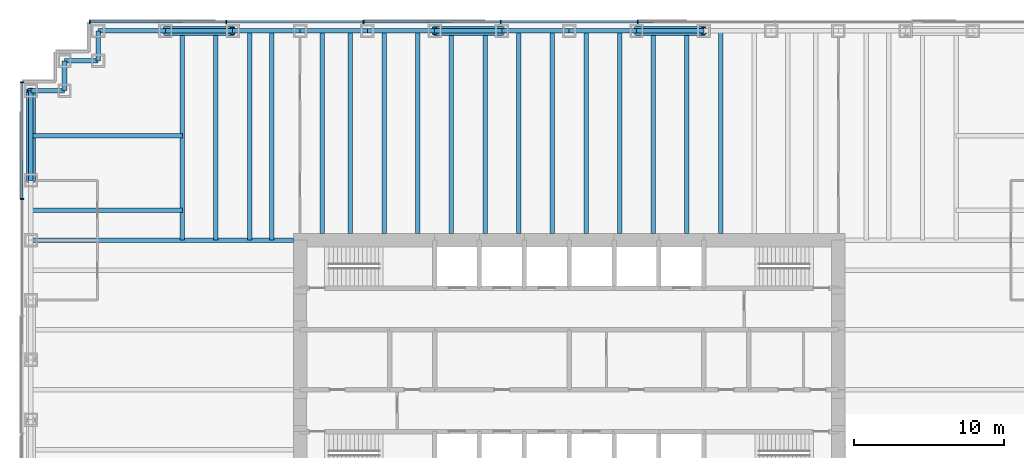
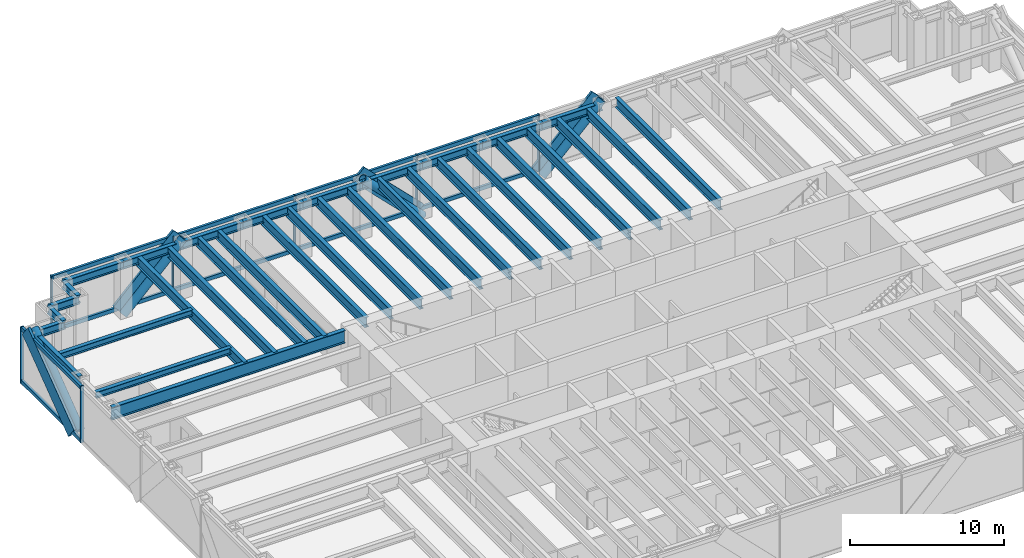
# One storey, part 5 of 13: 34 beams, 25 members, 2 elements without a shape of their own.
"""IFC4 building model written with IfcOpenShell, lengths in metres."""

from ifc_helpers import new_model, si_unit, direction, frame, origin, origin_2d, place, context, subcontext, project, spatial, rectangle, hollow_circle, i_section, extrude, material, material_profile, profile_set, type_object, element, aggregate, save


model = new_model("IFC4")

# Units and contexts
model_context = context("Model", 3, precision=1e-05, world=origin(), true_north=direction((0.0, 1.0)))
body_context = subcontext(model_context, "Body", "Model", "MODEL_VIEW")
ifc_project = project(units=[si_unit("LENGTHUNIT", "METRE"), si_unit("AREAUNIT", "SQUARE_METRE"), si_unit("VOLUMEUNIT", "CUBIC_METRE"), si_unit("PLANEANGLEUNIT", "RADIAN"), si_unit("MASSUNIT", "GRAM", prefix="KILO")], contexts=[model_context])

# Site, building, storey
site_placement = place(None, origin())
site = spatial("IfcSite", under=ifc_project, at=site_placement, CompositionType="ELEMENT")
building_placement = place(site_placement, origin())
building = spatial("IfcBuilding", under=site, at=building_placement, Name="Rheinbord Bourse Tower", CompositionType="ELEMENT")
storey_placement = place(building_placement, frame((0.0, 0.0, 36.5)))
storey = spatial("IfcBuildingStorey", under=building, at=storey_placement, Name="L07", CompositionType="ELEMENT", Elevation=36.5)

# Curtain wall, members
ifc_material_1 = material(Name="Dark glass and black aluminium", Category="aluminium")
curtain_wall_type = type_object("IfcCurtainWallType", Name="CW1 DARK GLASS CURTAIN WALL", PredefinedType="USERDEFINED", material=ifc_material_1)
curtain_wall_1_placement = place(storey_placement, origin())
curtain_wall_1 = element("IfcCurtainWall", 1, at=curtain_wall_1_placement, inside=storey, type_object=curtain_wall_type, Name="Curtain wall CW1 N L07", ObjectType="UNITISED CURTAIN WALL", PredefinedType="USERDEFINED")
ifc_material_2 = material(Name="Black anodised aluminium", Category="aluminium")
ifc_material_profile_1 = material_profile(ifc_material_2, rectangle(XDim=0.179931640625, YDim=1.2099609375, at=origin_2d()), Name="CW1 DIAGONAL MULLION 1210x180")
ifc_profile_set_1 = profile_set([ifc_material_profile_1], Name="Black anodised aluminium")
member_type_1 = type_object("IfcMemberType", Name="CW1 BLACK DIAGONAL MULLION", PredefinedType="USERDEFINED", material=ifc_profile_set_1)
member_1_placement = place(storey_placement, frame((40.5, 46.60009765625, 0.0), z_axis=(0.707106781187, 0.0, 0.707106781187), x_axis=(0.0, 1.0, 0.0)))
member_1 = element("IfcMember", 2, at=member_1_placement, type_object=member_type_1, Name="CW1 diagonal mullion a", ObjectType="DIAGONAL MULLION", PredefinedType="USERDEFINED", context=body_context, shape_type="SweptSolid", body=[
    extrude(rectangle(XDim=0.179931640625, YDim=1.2099609375, at=origin_2d()), origin(), (0.0, 0.0, 1.0), 6.364013671875),
])
member_2_placement = place(storey_placement, frame((31.5, 46.60009765625, 0.0), z_axis=(-0.707106781187, 0.0, 0.707106781187), x_axis=(0.0, -1.0, 0.0)))
member_2 = element("IfcMember", 3, at=member_2_placement, type_object=member_type_1, Name="CW1 diagonal mullion b", ObjectType="DIAGONAL MULLION", PredefinedType="USERDEFINED", context=body_context, shape_type="SweptSolid", body=[
    extrude(rectangle(XDim=0.179931640625, YDim=1.2099609375, at=origin_2d()), origin(), (0.0, 0.0, 1.0), 6.364013671875),
])
member_3_placement = place(storey_placement, frame((9.0, 46.60009765625, 0.0), z_axis=(0.707106781187, 0.0, 0.707106781187), x_axis=(0.0, 1.0, 0.0)))
member_3 = element("IfcMember", 4, at=member_3_placement, type_object=member_type_1, Name="CW1 diagonal mullion d", ObjectType="DIAGONAL MULLION", PredefinedType="USERDEFINED", context=body_context, shape_type="SweptSolid", body=[
    extrude(rectangle(XDim=0.179931640625, YDim=1.2099609375, at=origin_2d()), origin(), (0.0, 0.0, 1.0), 6.364013671875),
])

# Curtain wall, member
curtain_wall_2_placement = place(storey_placement, origin())
curtain_wall_2 = element("IfcCurtainWall", 5, at=curtain_wall_2_placement, inside=storey, type_object=curtain_wall_type, Name="Curtain wall CW1 W L07", ObjectType="UNITISED CURTAIN WALL", PredefinedType="USERDEFINED")
member_4_placement = place(storey_placement, frame((-0.60009765625, 36.0, 0.0), z_axis=(0.0, 0.8, 0.6), x_axis=(-1.0, 0.0, 0.0)))
member_4 = element("IfcMember", 6, at=member_4_placement, type_object=member_type_1, Name="CW1 diagonal mullion a", ObjectType="DIAGONAL MULLION", PredefinedType="USERDEFINED", context=body_context, shape_type="SweptSolid", body=[
    extrude(rectangle(XDim=0.179931640625, YDim=1.2099609375, at=origin_2d()), origin(), (0.0, 0.0, 1.0), 7.5),
])

# Member
ifc_material_3 = material(Name="Black anodised aluminium", Category="aluminium")
ifc_material_profile_2 = material_profile(ifc_material_3, rectangle(XDim=0.25, YDim=0.080078125, at=origin_2d()), Name="CW1 MULLION 80x250")
ifc_profile_set_2 = profile_set([ifc_material_profile_2], Name="Black anodised aluminium")
member_type_2 = type_object("IfcMemberType", Name="CW1 BLACK MULLION", PredefinedType="MULLION", material=ifc_profile_set_2)
member_5_placement = place(storey_placement, frame((40.585693359375, 46.60009765625, 0.0), z_axis=(0.0, 0.0, 1.0), x_axis=(0.0, -1.0, 0.0)))
member_5 = element("IfcMember", 7, at=member_5_placement, type_object=member_type_2, Name="CW1 mullion 4", PredefinedType="MULLION", context=body_context, shape_type="SweptSolid", body=[
    extrude(rectangle(XDim=0.25, YDim=0.080078125, at=origin_2d()), origin(), (0.0, 0.0, 1.0), 4.5),
])

member_6_placement = place(storey_placement, frame((31.414306640625, 46.60009765625, 0.0), z_axis=(0.0, 0.0, 1.0), x_axis=(0.0, -1.0, 0.0)))
member_6 = element("IfcMember", 8, at=member_6_placement, type_object=member_type_2, Name="CW1 mullion 5", PredefinedType="MULLION", context=body_context, shape_type="SweptSolid", body=[
    extrude(rectangle(XDim=0.25, YDim=0.080078125, at=origin_2d()), origin(), (0.0, 0.0, 1.0), 4.5),
])

member_7_placement = place(storey_placement, frame((22.242919921875, 46.60009765625, 0.0), z_axis=(0.0, 0.0, 1.0), x_axis=(0.0, -1.0, 0.0)))
member_7 = element("IfcMember", 9, at=member_7_placement, type_object=member_type_2, Name="CW1 mullion 6", PredefinedType="MULLION", context=body_context, shape_type="SweptSolid", body=[
    extrude(rectangle(XDim=0.25, YDim=0.080078125, at=origin_2d()), origin(), (0.0, 0.0, 1.0), 4.5),
])

member_8_placement = place(storey_placement, frame((13.071533203125, 46.60009765625, 0.0), z_axis=(0.0, 0.0, 1.0), x_axis=(0.0, -1.0, 0.0)))
member_8 = element("IfcMember", 10, at=member_8_placement, type_object=member_type_2, Name="CW1 mullion 7", PredefinedType="MULLION", context=body_context, shape_type="SweptSolid", body=[
    extrude(rectangle(XDim=0.25, YDim=0.080078125, at=origin_2d()), origin(), (0.0, 0.0, 1.0), 4.5),
])

member_9_placement = place(storey_placement, frame((3.93994140625, 46.60009765625, 0.0), z_axis=(0.0, 0.0, 1.0), x_axis=(0.0, -1.0, 0.0)))
member_9 = element("IfcMember", 11, at=member_9_placement, type_object=member_type_2, Name="CW1 mullion 8", PredefinedType="MULLION", context=body_context, shape_type="SweptSolid", body=[
    extrude(rectangle(XDim=0.25, YDim=0.080078125, at=origin_2d()), origin(), (0.0, 0.0, 1.0), 4.5),
])

member_10_placement = place(storey_placement, frame((-0.60009765625, 42.56005859375, 0.0), z_axis=(0.0, 0.0, 1.0), x_axis=(1.0, 0.0, 0.0)))
member_10 = element("IfcMember", 12, at=member_10_placement, type_object=member_type_2, Name="CW1 mullion 1", PredefinedType="MULLION", context=body_context, shape_type="SweptSolid", body=[
    extrude(rectangle(XDim=0.25, YDim=0.080078125, at=origin_2d()), origin(), (0.0, 0.0, 1.0), 4.5),
])

member_11_placement = place(storey_placement, frame((-0.60009765625, 34.760009765625, 0.0), z_axis=(0.0, 0.0, 1.0), x_axis=(1.0, 0.0, 0.0)))
member_11 = element("IfcMember", 13, at=member_11_placement, type_object=member_type_2, Name="CW1 mullion 2", PredefinedType="MULLION", context=body_context, shape_type="SweptSolid", body=[
    extrude(rectangle(XDim=0.25, YDim=0.080078125, at=origin_2d()), origin(), (0.0, 0.0, 1.0), 4.5),
])

ifc_material_4 = material(Name="Black anodised aluminium", Category="aluminium")
ifc_material_profile_3 = material_profile(ifc_material_4, rectangle(XDim=0.179931640625, YDim=0.300048828125, at=origin_2d()), Name="CW1 TRANSOM 300x180")
ifc_profile_set_3 = profile_set([ifc_material_profile_3], Name="Black anodised aluminium")
member_type_3 = type_object("IfcMemberType", Name="CW1 BLACK TRANSOM", PredefinedType="USERDEFINED", material=ifc_profile_set_3)
member_12_placement = place(storey_placement, frame((40.545654296875, 46.60009765625, 0.14990234375), z_axis=(-1.0, 0.0, 0.0), x_axis=(0.0, -1.0, 0.0)))
member_12 = element("IfcMember", 14, at=member_12_placement, type_object=member_type_3, Name="CW1 transom 4.1", ObjectType="TRANSOM", PredefinedType="USERDEFINED", context=body_context, shape_type="SweptSolid", body=[
    extrude(rectangle(XDim=0.179931640625, YDim=0.300048828125, at=origin_2d()), origin(), (0.0, 0.0, 1.0), 9.09130859375),
])

member_13_placement = place(storey_placement, frame((40.545654296875, 46.60009765625, 4.35009765625), z_axis=(-1.0, 0.0, 0.0), x_axis=(0.0, -1.0, 0.0)))
member_13 = element("IfcMember", 15, at=member_13_placement, type_object=member_type_3, Name="CW1 transom 4.2", ObjectType="TRANSOM", PredefinedType="USERDEFINED", context=body_context, shape_type="SweptSolid", body=[
    extrude(rectangle(XDim=0.179931640625, YDim=0.300048828125, at=origin_2d()), origin(), (0.0, 0.0, 1.0), 9.09130859375),
])

member_14_placement = place(storey_placement, frame((31.374267578125, 46.60009765625, 0.14990234375), z_axis=(-1.0, 0.0, 0.0), x_axis=(0.0, -1.0, 0.0)))
member_14 = element("IfcMember", 16, at=member_14_placement, type_object=member_type_3, Name="CW1 transom 5.1", ObjectType="TRANSOM", PredefinedType="USERDEFINED", context=body_context, shape_type="SweptSolid", body=[
    extrude(rectangle(XDim=0.179931640625, YDim=0.300048828125, at=origin_2d()), origin(), (0.0, 0.0, 1.0), 9.09130859375),
])

member_15_placement = place(storey_placement, frame((31.374267578125, 46.60009765625, 4.35009765625), z_axis=(-1.0, 0.0, 0.0), x_axis=(0.0, -1.0, 0.0)))
member_15 = element("IfcMember", 17, at=member_15_placement, type_object=member_type_3, Name="CW1 transom 5.2", ObjectType="TRANSOM", PredefinedType="USERDEFINED", context=body_context, shape_type="SweptSolid", body=[
    extrude(rectangle(XDim=0.179931640625, YDim=0.300048828125, at=origin_2d()), origin(), (0.0, 0.0, 1.0), 9.09130859375),
])

member_16_placement = place(storey_placement, frame((22.202880859375, 46.60009765625, 0.14990234375), z_axis=(-1.0, 0.0, 0.0), x_axis=(0.0, -1.0, 0.0)))
member_16 = element("IfcMember", 18, at=member_16_placement, type_object=member_type_3, Name="CW1 transom 6.1", ObjectType="TRANSOM", PredefinedType="USERDEFINED", context=body_context, shape_type="SweptSolid", body=[
    extrude(rectangle(XDim=0.179931640625, YDim=0.300048828125, at=origin_2d()), origin(), (0.0, 0.0, 1.0), 9.091552734375),
])

member_17_placement = place(storey_placement, frame((22.202880859375, 46.60009765625, 4.35009765625), z_axis=(-1.0, 0.0, 0.0), x_axis=(0.0, -1.0, 0.0)))
member_17 = element("IfcMember", 19, at=member_17_placement, type_object=member_type_3, Name="CW1 transom 6.2", ObjectType="TRANSOM", PredefinedType="USERDEFINED", context=body_context, shape_type="SweptSolid", body=[
    extrude(rectangle(XDim=0.179931640625, YDim=0.300048828125, at=origin_2d()), origin(), (0.0, 0.0, 1.0), 9.091552734375),
])

member_18_placement = place(storey_placement, frame((13.031494140625, 46.60009765625, 0.14990234375), z_axis=(-1.0, 0.0, 0.0), x_axis=(0.0, -1.0, 0.0)))
member_18 = element("IfcMember", 20, at=member_18_placement, type_object=member_type_3, Name="CW1 transom 7.1", ObjectType="TRANSOM", PredefinedType="USERDEFINED", context=body_context, shape_type="SweptSolid", body=[
    extrude(rectangle(XDim=0.179931640625, YDim=0.300048828125, at=origin_2d()), origin(), (0.0, 0.0, 1.0), 9.051513671875),
])

member_19_placement = place(storey_placement, frame((13.031494140625, 46.60009765625, 4.35009765625), z_axis=(-1.0, 0.0, 0.0), x_axis=(0.0, -1.0, 0.0)))
member_19 = element("IfcMember", 21, at=member_19_placement, type_object=member_type_3, Name="CW1 transom 7.2", ObjectType="TRANSOM", PredefinedType="USERDEFINED", context=body_context, shape_type="SweptSolid", body=[
    extrude(rectangle(XDim=0.179931640625, YDim=0.300048828125, at=origin_2d()), origin(), (0.0, 0.0, 1.0), 9.051513671875),
])

aggregate(curtain_wall_1, [member_5, member_6, member_7, member_8, member_9, member_12, member_13, member_14, member_15, member_16, member_17, member_18, member_19, member_1, member_2, member_3])

member_20_placement = place(storey_placement, frame((-0.60009765625, 42.52001953125, 0.14990234375), z_axis=(0.0, -1.0, 0.0), x_axis=(1.0, 0.0, 0.0)))
member_20 = element("IfcMember", 22, at=member_20_placement, type_object=member_type_3, Name="CW1 transom 1.1", ObjectType="TRANSOM", PredefinedType="USERDEFINED", context=body_context, shape_type="SweptSolid", body=[
    extrude(rectangle(XDim=0.179931640625, YDim=0.300048828125, at=origin_2d()), origin(), (0.0, 0.0, 1.0), 7.719970703125),
])

member_21_placement = place(storey_placement, frame((-0.60009765625, 42.52001953125, 4.35009765625), z_axis=(0.0, -1.0, 0.0), x_axis=(1.0, 0.0, 0.0)))
member_21 = element("IfcMember", 23, at=member_21_placement, type_object=member_type_3, Name="CW1 transom 1.2", ObjectType="TRANSOM", PredefinedType="USERDEFINED", context=body_context, shape_type="SweptSolid", body=[
    extrude(rectangle(XDim=0.179931640625, YDim=0.300048828125, at=origin_2d()), origin(), (0.0, 0.0, 1.0), 7.719970703125),
])

aggregate(curtain_wall_2, [member_10, member_11, member_20, member_21, member_4])

# Beams
ifc_material_5 = material(Name="Steel S460", Category="steel")
ifc_material_profile_4 = material_profile(ifc_material_5, i_section(OverallWidth=0.300048828125, OverallDepth=0.800048828125, WebThickness=0.017578125, FlangeThickness=0.032958984375, at=origin_2d()), Name="HEB 800")
ifc_profile_set_4 = profile_set([ifc_material_profile_4], Name="Steel S460")
beam_type_1 = type_object("IfcBeamType", Name="FLOOR BEAM HEB 800", PredefinedType="BEAM", material=ifc_profile_set_4)
for number, where, z_axis, x_axis, name in (
    (24, (10.125, 46.0, 3.919921875), (0.0, -1.0, 0.0), (1.0, 0.0, 0.0), "Floor beam N-9a L08"),
    (25, (12.375, 46.0, 3.919921875), (0.0, -1.0, 0.0), (1.0, 0.0, 0.0), "Floor beam N-9b L08"),
    (26, (14.625, 46.0, 3.919921875), (0.0, -1.0, 0.0), (1.0, 0.0, 0.0), "Floor beam N-13.5a L08"),
    (27, (16.125, 46.0, 3.919921875), (0.0, -1.0, 0.0), (1.0, 0.0, 0.0), "Floor beam N-13.5b L08"),
):
    element("IfcBeam", number, at=place(storey_placement, frame(where, z_axis=z_axis, x_axis=x_axis)), inside=storey, type_object=beam_type_1, Name=name, PredefinedType="BEAM", context=body_context, shape_type="SweptSolid", body=[
        extrude(i_section(OverallWidth=0.300048828125, OverallDepth=0.800048828125, WebThickness=0.017578125, FlangeThickness=0.032958984375, at=origin_2d()), origin(), (0.0, 0.0, 1.0), 14.0),
    ])
for number, where, z_axis, x_axis, name in (
    (28, (19.5, 46.0, 3.919921875), (0.0, -1.0, 0.0), (1.0, 0.0, 0.0), "Floor beam N-18a L08"),
    (29, (21.375, 46.0, 3.919921875), (0.0, -1.0, 0.0), (1.0, 0.0, 0.0), "Floor beam N-18b L08"),
    (30, (23.625, 46.0, 3.919921875), (0.0, -1.0, 0.0), (1.0, 0.0, 0.0), "Floor beam N-22.5a L08"),
    (31, (25.875, 46.0, 3.919921875), (0.0, -1.0, 0.0), (1.0, 0.0, 0.0), "Floor beam N-22.5b L08"),
    (32, (28.125, 46.0, 3.919921875), (0.0, -1.0, 0.0), (1.0, 0.0, 0.0), "Floor beam N-27a L08"),
    (33, (30.375, 46.0, 3.919921875), (0.0, -1.0, 0.0), (1.0, 0.0, 0.0), "Floor beam N-27b L08"),
    (34, (32.625, 46.0, 3.919921875), (0.0, -1.0, 0.0), (1.0, 0.0, 0.0), "Floor beam N-31.5a L08"),
    (35, (34.875, 46.0, 3.919921875), (0.0, -1.0, 0.0), (1.0, 0.0, 0.0), "Floor beam N-31.5b L08"),
    (36, (37.125, 46.0, 3.919921875), (0.0, -1.0, 0.0), (1.0, 0.0, 0.0), "Floor beam N-36a L08"),
    (37, (39.375, 46.0, 3.919921875), (0.0, -1.0, 0.0), (1.0, 0.0, 0.0), "Floor beam N-36b L08"),
    (38, (41.625, 46.0, 3.919921875), (0.0, -1.0, 0.0), (1.0, 0.0, 0.0), "Floor beam N-40.5a L08"),
    (39, (43.875, 46.0, 3.919921875), (0.0, -1.0, 0.0), (1.0, 0.0, 0.0), "Floor beam N-40.5b L08"),
    (40, (46.125, 46.0, 3.919921875), (0.0, -1.0, 0.0), (1.0, 0.0, 0.0), "Floor beam N-45a L08"),
):
    element("IfcBeam", number, at=place(storey_placement, frame(where, z_axis=z_axis, x_axis=x_axis)), inside=storey, type_object=beam_type_1, Name=name, PredefinedType="BEAM", context=body_context, shape_type="SweptSolid", body=[
        extrude(i_section(OverallWidth=0.300048828125, OverallDepth=0.800048828125, WebThickness=0.017578125, FlangeThickness=0.032958984375, at=origin_2d()), origin(), (0.0, 0.0, 1.0), 13.550048828125),
    ])
ifc_material_6 = material(Name="Steel S460", Category="steel")
ifc_material_profile_5 = material_profile(ifc_material_6, i_section(OverallWidth=0.302001953125, OverallDepth=1.008056640625, WebThickness=0.02099609375, FlangeThickness=0.0400390625, at=origin_2d()), Name="HEM 1000")
ifc_profile_set_5 = profile_set([ifc_material_profile_5], Name="Steel S460")
beam_type_2 = type_object("IfcBeamType", Name="GIRDER HEM 1000", PredefinedType="BEAM", material=ifc_profile_set_5)
beam_1_placement = place(storey_placement, frame((0.0, 32.0, 3.81591796875), z_axis=(1.0, 0.0, 0.0), x_axis=(0.0, 1.0, 0.0)))
element("IfcBeam", 41, at=beam_1_placement, inside=storey, type_object=beam_type_2, Name="Girder west 32 L08", PredefinedType="BEAM", context=body_context, shape_type="SweptSolid", body=[
    extrude(i_section(OverallWidth=0.302001953125, OverallDepth=1.008056640625, WebThickness=0.02099609375, FlangeThickness=0.0400390625, at=origin_2d()), origin(), (0.0, 0.0, 1.0), 17.550048828125),
])

# Members
ifc_material_7 = material(Name="Steel S460", Category="steel")
ifc_material_profile_6 = material_profile(ifc_material_7, hollow_circle(Radius=0.304931640625, WallThickness=0.050048828125, at=origin_2d()), Name="CHS 610x50")
ifc_profile_set_6 = profile_set([ifc_material_profile_6], Name="Steel S460")
member_type_4 = type_object("IfcMemberType", Name="MEGABRACE CHS 610x50", PredefinedType="BRACE", material=ifc_profile_set_6)
for number, where, z_axis, x_axis, name in (
    (42, (40.5, 46.0, 0.0), (0.707106781187, 0.0, 0.707106781187), (0.0, 1.0, 0.0), "Megabrace N face line a L07"),
    (43, (31.5, 46.0, 0.0), (-0.707106781187, 0.0, 0.707106781187), (0.0, -1.0, 0.0), "Megabrace N face line b L07"),
    (44, (9.0, 46.0, 0.0), (0.707106781187, 0.0, 0.707106781187), (0.0, 1.0, 0.0), "Megabrace N face line d L07"),
):
    element("IfcMember", number, at=place(storey_placement, frame(where, z_axis=z_axis, x_axis=x_axis)), inside=storey, type_object=member_type_4, Name=name, PredefinedType="BRACE", context=body_context, shape_type="SweptSolid", body=[
        extrude(hollow_circle(Radius=0.304931640625, WallThickness=0.050048828125, at=origin_2d()), origin(), (0.0, 0.0, 1.0), 6.364013671875),
    ])
member_22_placement = place(storey_placement, frame((0.0, 36.0, 0.0), z_axis=(0.0, 0.8, 0.6), x_axis=(-1.0, 0.0, 0.0)))
element("IfcMember", 45, at=member_22_placement, inside=storey, type_object=member_type_4, Name="Megabrace W face line a L07", PredefinedType="BRACE", context=body_context, shape_type="SweptSolid", body=[
    extrude(hollow_circle(Radius=0.304931640625, WallThickness=0.050048828125, at=origin_2d()), origin(), (0.0, 0.0, 1.0), 7.5),
])

# Beams
ifc_material_8 = material(Name="Steel S460", Category="steel")
ifc_material_profile_7 = material_profile(ifc_material_8, i_section(OverallWidth=0.304931640625, OverallDepth=0.6201171875, WebThickness=0.02099609375, FlangeThickness=0.0400390625, at=origin_2d()), Name="HEM 600")
ifc_profile_set_7 = profile_set([ifc_material_profile_7], Name="Steel S460")
beam_type_3 = type_object("IfcBeamType", Name="SPANDREL HEM 600", PredefinedType="SPANDREL", material=ifc_profile_set_7)
for number, where, z_axis, x_axis, name in (
    (46, (45.0, 46.0, 4.010009765625), (-1.0, 0.0, 0.0), (0.0, -1.0, 0.0), "Spandrel N-45-N-40.5 under L08"),
    (47, (40.5, 46.0, 4.010009765625), (-1.0, 0.0, 0.0), (0.0, -1.0, 0.0), "Spandrel N-40.5-N-36 under L08"),
    (48, (36.0, 46.0, 4.010009765625), (-1.0, 0.0, 0.0), (0.0, -1.0, 0.0), "Spandrel N-36-N-31.5 under L08"),
    (49, (31.5, 46.0, 4.010009765625), (-1.0, 0.0, 0.0), (0.0, -1.0, 0.0), "Spandrel N-31.5-N-27 under L08"),
    (50, (27.0, 46.0, 4.010009765625), (-1.0, 0.0, 0.0), (0.0, -1.0, 0.0), "Spandrel N-27-N-22.5 under L08"),
    (51, (22.5, 46.0, 4.010009765625), (-1.0, 0.0, 0.0), (0.0, -1.0, 0.0), "Spandrel N-22.5-N-18 under L08"),
    (52, (18.0, 46.0, 4.010009765625), (-1.0, 0.0, 0.0), (0.0, -1.0, 0.0), "Spandrel N-18-N-13.5 under L08"),
    (53, (13.5, 46.0, 4.010009765625), (-1.0, 0.0, 0.0), (0.0, -1.0, 0.0), "Spandrel N-13.5-N-9 under L08"),
    (54, (9.0, 46.0, 4.010009765625), (-1.0, 0.0, 0.0), (0.0, -1.0, 0.0), "Spandrel N-9-NW-E under L08"),
):
    element("IfcBeam", number, at=place(storey_placement, frame(where, z_axis=z_axis, x_axis=x_axis)), inside=storey, type_object=beam_type_3, Name=name, PredefinedType="SPANDREL", context=body_context, shape_type="SweptSolid", body=[
        extrude(i_section(OverallWidth=0.304931640625, OverallDepth=0.6201171875, WebThickness=0.02099609375, FlangeThickness=0.0400390625, at=origin_2d()), origin(), (0.0, 0.0, 1.0), 4.5),
    ])
beam_2_placement = place(storey_placement, frame((4.5, 46.0, 4.010009765625), z_axis=(0.0, -1.0, 0.0), x_axis=(1.0, 0.0, 0.0)))
element("IfcBeam", 55, at=beam_2_placement, inside=storey, type_object=beam_type_3, Name="Spandrel NW-E-NW-D under L08", PredefinedType="SPANDREL", context=body_context, shape_type="SweptSolid", body=[
    extrude(i_section(OverallWidth=0.304931640625, OverallDepth=0.6201171875, WebThickness=0.02099609375, FlangeThickness=0.0400390625, at=origin_2d()), origin(), (0.0, 0.0, 1.0), 2.0),
])
beam_3_placement = place(storey_placement, frame((4.5, 44.0, 4.010009765625), z_axis=(-1.0, 0.0, 0.0), x_axis=(0.0, -1.0, 0.0)))
element("IfcBeam", 56, at=beam_3_placement, inside=storey, type_object=beam_type_3, Name="Spandrel NW-D-NW-C under L08", PredefinedType="SPANDREL", context=body_context, shape_type="SweptSolid", body=[
    extrude(i_section(OverallWidth=0.304931640625, OverallDepth=0.6201171875, WebThickness=0.02099609375, FlangeThickness=0.0400390625, at=origin_2d()), origin(), (0.0, 0.0, 1.0), 2.25),
])
beam_4_placement = place(storey_placement, frame((2.25, 44.0, 4.010009765625), z_axis=(0.0, -1.0, 0.0), x_axis=(1.0, 0.0, 0.0)))
element("IfcBeam", 57, at=beam_4_placement, inside=storey, type_object=beam_type_3, Name="Spandrel NW-C-NW-B under L08", PredefinedType="SPANDREL", context=body_context, shape_type="SweptSolid", body=[
    extrude(i_section(OverallWidth=0.304931640625, OverallDepth=0.6201171875, WebThickness=0.02099609375, FlangeThickness=0.0400390625, at=origin_2d()), origin(), (0.0, 0.0, 1.0), 2.0),
])
beam_5_placement = place(storey_placement, frame((2.25, 42.0, 4.010009765625), z_axis=(-1.0, 0.0, 0.0), x_axis=(0.0, -1.0, 0.0)))
element("IfcBeam", 58, at=beam_5_placement, inside=storey, type_object=beam_type_3, Name="Spandrel NW-B-NW-A under L08", PredefinedType="SPANDREL", context=body_context, shape_type="SweptSolid", body=[
    extrude(i_section(OverallWidth=0.304931640625, OverallDepth=0.6201171875, WebThickness=0.02099609375, FlangeThickness=0.0400390625, at=origin_2d()), origin(), (0.0, 0.0, 1.0), 2.25),
])
beam_6_placement = place(storey_placement, frame((0.0, 42.0, 4.010009765625), z_axis=(0.0, -1.0, 0.0), x_axis=(1.0, 0.0, 0.0)))
element("IfcBeam", 59, at=beam_6_placement, inside=storey, type_object=beam_type_3, Name="Spandrel NW-A-W-36 under L08", PredefinedType="SPANDREL", context=body_context, shape_type="SweptSolid", body=[
    extrude(i_section(OverallWidth=0.304931640625, OverallDepth=0.6201171875, WebThickness=0.02099609375, FlangeThickness=0.0400390625, at=origin_2d()), origin(), (0.0, 0.0, 1.0), 6.0),
])
ifc_material_9 = material(Name="Steel S460", Category="steel")
ifc_material_profile_8 = material_profile(ifc_material_9, i_section(OverallWidth=0.300048828125, OverallDepth=0.5, WebThickness=0.014404296875, FlangeThickness=0.028076171875, at=origin_2d()), Name="HEB 500")
ifc_profile_set_8 = profile_set([ifc_material_profile_8], Name="Steel S460")
beam_type_4 = type_object("IfcBeamType", Name="TIE BEAM HEB 500", PredefinedType="JOIST", material=ifc_profile_set_8)
for number, where, z_axis, x_axis, name in (
    (60, (0.0, 34.0, 4.070068359375), (1.0, 0.0, 0.0), (0.0, 1.0, 0.0), "Tie west 34 L08"),
    (61, (0.0, 39.0, 4.070068359375), (1.0, 0.0, 0.0), (0.0, 1.0, 0.0), "Tie west 39 L08"),
):
    element("IfcBeam", number, at=place(storey_placement, frame(where, z_axis=z_axis, x_axis=x_axis)), inside=storey, type_object=beam_type_4, Name=name, PredefinedType="JOIST", context=body_context, shape_type="SweptSolid", body=[
        extrude(i_section(OverallWidth=0.300048828125, OverallDepth=0.5, WebThickness=0.014404296875, FlangeThickness=0.028076171875, at=origin_2d()), origin(), (0.0, 0.0, 1.0), 10.125),
    ])

save(model, "model.ifc")
